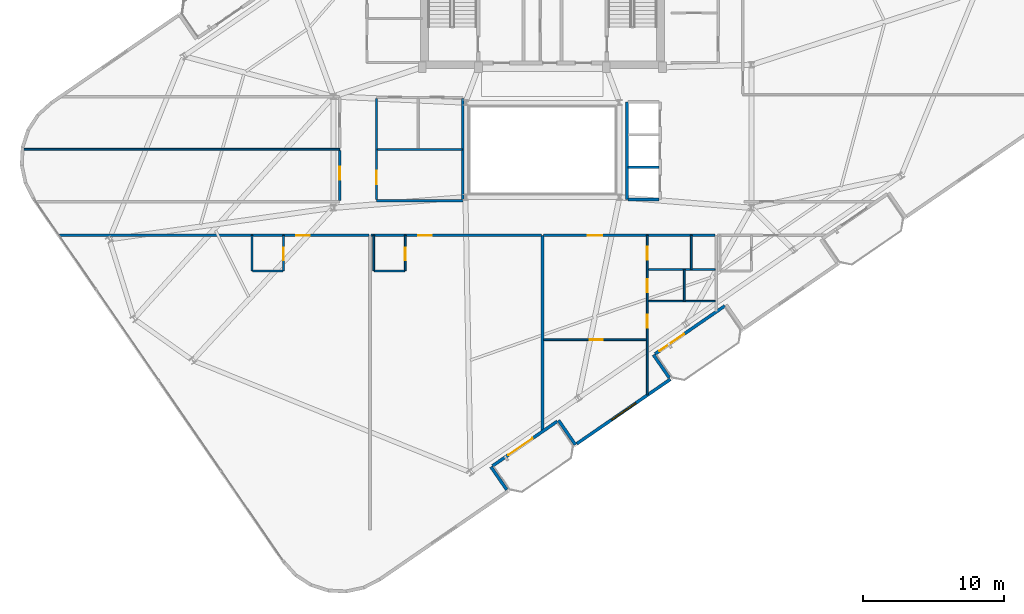
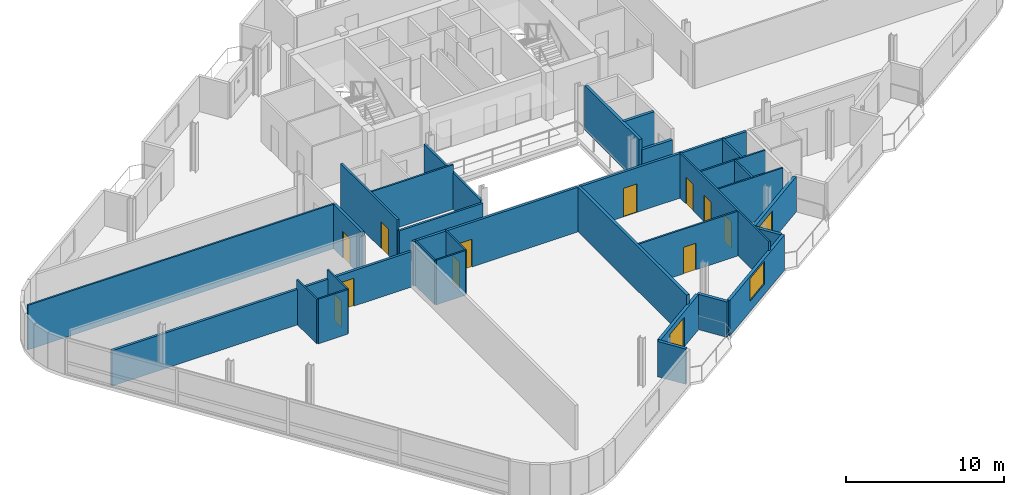
# One storey, part 14 of 21: 31 walls, 13 doors, 1 window, 14 openings.
"""IFC4 building model written with IfcOpenShell, lengths in metres."""

from ifc_helpers import new_model, si_unit, direction, frame, frame_2d, origin, place, context, subcontext, project, spatial, rectangle, extrude, material, layer, layer_set, type_object, element, fill, save


model = new_model("IFC4")

# Units and contexts
model_context = context("Model", 3, precision=1e-05, world=origin(), true_north=direction((0.0, 1.0)))
body_context = subcontext(model_context, "Body", "Model", "MODEL_VIEW")
ifc_project = project(units=[si_unit("LENGTHUNIT", "METRE"), si_unit("AREAUNIT", "SQUARE_METRE"), si_unit("VOLUMEUNIT", "CUBIC_METRE"), si_unit("PLANEANGLEUNIT", "RADIAN"), si_unit("MASSUNIT", "GRAM", prefix="KILO")], contexts=[model_context])

# Site, building, storey
site_placement = place(None, origin())
site = spatial("IfcSite", under=ifc_project, at=site_placement, CompositionType="ELEMENT")
building_placement = place(site_placement, origin())
building = spatial("IfcBuilding", under=site, at=building_placement, Name="Varnelok Gate Tower", CompositionType="ELEMENT")
storey_placement = place(building_placement, frame((0.0, 0.0, 269.300048828125)))
storey = spatial("IfcBuildingStorey", under=building, at=storey_placement, Name="L69", CompositionType="ELEMENT", Elevation=269.300048828125)

# Wall, opening, door
ifc_material_1 = material(Name="Concrete C45/55", Category="concrete")
ifc_layer_1 = layer(ifc_material_1, 0.219970703125)
ifc_layer_set_1 = layer_set([ifc_layer_1], Name="Concrete C45/55")
wall_type_1 = type_object("IfcWallType", Name="EW-BALC-220", PredefinedType="SOLIDWALL", material=ifc_layer_set_1)
wall_1_placement = place(storey_placement, frame((40.243896484375, 3.6884765625, 0.0), z_axis=(0.0, 0.0, 1.0), x_axis=(-0.823541290762, -0.567256328665, 0.0)))
wall_1 = element("IfcWall", 1, at=wall_1_placement, inside=storey, type_object=wall_type_1, Name="L69 South Terrace Envelope Wall 1", PredefinedType="SOLIDWALL", context=body_context, shape_type="SweptSolid", body=[
    extrude(rectangle(XDim=5.567138671875, YDim=0.219970703125, at=frame_2d((2.78369140625, 0.0))), origin(), (0.0, 0.0, 1.0), 2.72998046875),
])
opening_1_placement = place(wall_1_placement, frame((2.10693359375, 0.0, 0.0)))
opening_1 = element("IfcOpeningElement", 2, at=opening_1_placement, cuts=wall_1, Name="Opening BD-2", PredefinedType="OPENING", context=body_context, shape_type="SweptSolid", body=[
    extrude(rectangle(XDim=2.10009765625, YDim=2.300048828125, at=frame_2d((1.050048828125, 1.14990234375))), frame((0.0, 0.119873046875, 0.0), z_axis=(0.0, -1.0, 0.0), x_axis=(1.0, 0.0, 0.0)), (0.0, 0.0, 1.0), 0.239990234375),
])
ifc_material_2 = material(Name="Anodized Aluminum Alloy 6063-T6", Category="aluminium")
door_type_1 = type_object("IfcDoorType", Name="DR-EXT-SLID2100", OperationType="SLIDING_TO_LEFT", PredefinedType="DOOR", material=ifc_material_2)
door_1_placement = place(opening_1_placement, origin())
door_1 = element("IfcDoor", 3, at=door_1_placement, inside=storey, type_object=door_type_1, Name="L69 South Balcony Glazed Door 1", OperationType="SLIDING_TO_LEFT", OverallHeight=2.300048828125, OverallWidth=2.10009765625, PredefinedType="DOOR", context=body_context, shape_type="SweptSolid", body=[
    extrude(rectangle(XDim=2.10009765625, YDim=2.300048828125, at=frame_2d((1.050048828125, 1.14990234375))), frame((0.0, 0.02490234375, 0.0), z_axis=(0.0, -1.0, 0.0), x_axis=(1.0, 0.0, 0.0)), (0.0, 0.0, 1.0), 0.050048828125),
])
fill(opening_1, door_1)

wall_2_placement = place(storey_placement, frame((52.102783203125, 11.85693359375, 0.0), z_axis=(0.0, 0.0, 1.0), x_axis=(-0.823534636215, -0.567265989598, 0.0)))
wall_2 = element("IfcWall", 4, at=wall_2_placement, inside=storey, type_object=wall_type_1, Name="L69 South Terrace Envelope Wall 2", PredefinedType="SOLIDWALL", context=body_context, shape_type="SweptSolid", body=[
    extrude(rectangle(XDim=6.0, YDim=0.219970703125, at=frame_2d((3.0, 0.0))), origin(), (0.0, 0.0, 1.0), 2.72998046875),
])
opening_2_placement = place(wall_2_placement, frame((3.5, 0.0, 0.0)))
opening_2 = element("IfcOpeningElement", 5, at=opening_2_placement, cuts=wall_2, Name="Opening BD-2", PredefinedType="OPENING", context=body_context, shape_type="SweptSolid", body=[
    extrude(rectangle(XDim=2.10009765625, YDim=2.300048828125, at=frame_2d((1.050048828125, 1.14990234375))), frame((0.0, 0.119873046875, 0.0), z_axis=(0.0, -1.0, 0.0), x_axis=(1.0, 0.0, 0.0)), (0.0, 0.0, 1.0), 0.239990234375),
])
door_2_placement = place(opening_2_placement, origin())
door_2 = element("IfcDoor", 6, at=door_2_placement, inside=storey, type_object=door_type_1, Name="L69 South Balcony Glazed Door 2", OperationType="SLIDING_TO_LEFT", OverallHeight=2.300048828125, OverallWidth=2.10009765625, PredefinedType="DOOR", context=body_context, shape_type="SweptSolid", body=[
    extrude(rectangle(XDim=2.10009765625, YDim=2.300048828125, at=frame_2d((1.050048828125, 1.14990234375))), frame((0.0, 0.02490234375, 0.0), z_axis=(0.0, -1.0, 0.0), x_axis=(1.0, 0.0, 0.0)), (0.0, 0.0, 1.0), 0.050048828125),
])
fill(opening_2, door_2)

# Walls
wall_3_placement = place(storey_placement, frame((36.675048828125, -1.156005859375, 0.0), z_axis=(0.0, 0.0, 1.0), x_axis=(-0.567215821234, 0.823569190865, 0.0)))
element("IfcWall", 7, at=wall_3_placement, inside=storey, type_object=wall_type_1, Name="L69 Perimeter Facade Closure Wall 8", PredefinedType="SOLIDWALL", context=body_context, shape_type="SweptSolid", body=[
    extrude(rectangle(XDim=1.97509765625, YDim=0.219970703125, at=frame_2d((0.987548828125, 0.0))), origin(), (0.0, 0.0, 1.0), 2.72998046875),
])
wall_4_placement = place(storey_placement, frame((40.3369140625, 3.7646484375, 0.0), z_axis=(0.0, 0.0, 1.0), x_axis=(0.567352541689, -0.823475010816, 0.0)))
element("IfcWall", 8, at=wall_4_placement, inside=storey, type_object=wall_type_1, Name="L69 Perimeter Facade Closure Wall 9", PredefinedType="SOLIDWALL", context=body_context, shape_type="SweptSolid", body=[
    extrude(rectangle(XDim=2.099853515625, YDim=0.219970703125, at=frame_2d((1.0498046875, 0.0))), origin(), (0.0, 0.0, 1.0), 2.72998046875),
])

# Wall, opening, window
wall_5_placement = place(storey_placement, frame((41.631103515625, 2.106201171875, 0.0), z_axis=(0.0, 0.0, 1.0), x_axis=(0.823530942962, 0.56727135128, 0.0)))
wall_5 = element("IfcWall", 9, at=wall_5_placement, inside=storey, type_object=wall_type_1, Name="L69 Perimeter Facade Closure Wall 10", PredefinedType="SOLIDWALL", context=body_context, shape_type="SweptSolid", body=[
    extrude(rectangle(XDim=8.03515625, YDim=0.219970703125, at=frame_2d((4.017578125, 0.0))), origin(), (0.0, 0.0, 1.0), 2.72998046875),
])
opening_3_placement = place(wall_5_placement, frame((2.967529296875, 0.0, 0.800048828125)))
opening_3 = element("IfcOpeningElement", 10, at=opening_3_placement, cuts=wall_5, Name="Opening WN4", PredefinedType="OPENING", context=body_context, shape_type="SweptSolid", body=[
    extrude(rectangle(XDim=2.10009765625, YDim=1.75, at=frame_2d((1.050048828125, 0.875))), frame((0.0, 0.119873046875, 0.0), z_axis=(0.0, -1.0, 0.0), x_axis=(1.0, 0.0, 0.0)), (0.0, 0.0, 1.0), 0.239990234375),
])
ifc_material_3 = material(Name="Low-E Laminated Double Glazing IGU", Category="glass")
window_type = type_object("IfcWindowType", Name="WN-SUI-2100", PartitioningType="SINGLE_PANEL", PredefinedType="WINDOW", material=ifc_material_3)
window_placement = place(opening_3_placement, origin())
window = element("IfcWindow", 11, at=window_placement, inside=storey, type_object=window_type, Name="L69 Perimeter Vision Window 10", OverallHeight=1.75, OverallWidth=2.10009765625, PartitioningType="SINGLE_PANEL", PredefinedType="WINDOW", context=body_context, shape_type="SweptSolid", body=[
    extrude(rectangle(XDim=2.10009765625, YDim=1.75, at=frame_2d((1.050048828125, 0.875))), frame((0.0, 0.030029296875, 0.0), z_axis=(0.0, -1.0, 0.0), x_axis=(1.0, 0.0, 0.0)), (0.0, 0.0, 1.0), 0.06005859375),
])
fill(opening_3, window)

# Wall
wall_6_placement = place(storey_placement, frame((48.17724609375, 6.76708984375, 0.0), z_axis=(0.0, 0.0, 1.0), x_axis=(-0.567273565974, 0.823529417415, 0.0)))
element("IfcWall", 12, at=wall_6_placement, inside=storey, type_object=wall_type_1, Name="L69 Perimeter Facade Closure Wall 11", PredefinedType="SOLIDWALL", context=body_context, shape_type="SweptSolid", body=[
    extrude(rectangle(XDim=1.97509765625, YDim=0.219970703125, at=frame_2d((0.987548828125, 0.0))), origin(), (0.0, 0.0, 1.0), 2.72998046875),
])

# Wall, opening, door
ifc_material_4 = material(Name="Gypsum Plasterboard Acoustic Partition", Category="gypsum")
ifc_layer_2 = layer(ifc_material_4, 0.179931640625)
ifc_layer_set_2 = layer_set([ifc_layer_2], Name="Gypsum Plasterboard Acoustic Partition")
wall_type_2 = type_object("IfcWallType", Name="PW-CORR-180", PredefinedType="PARTITIONING", material=ifc_layer_set_2)
wall_7_placement = place(storey_placement, frame((5.037841796875, 16.85009765625, 0.0), z_axis=(0.0, 0.0, 1.0), x_axis=(1.0, 0.0, 0.0)))
wall_7 = element("IfcWall", 13, at=wall_7_placement, inside=storey, type_object=wall_type_2, Name="Interior Partition", PredefinedType="PARTITIONING", context=body_context, shape_type="SweptSolid", body=[
    extrude(rectangle(XDim=21.882080078125, YDim=0.179931640625, at=frame_2d((10.94091796875, 0.0))), origin(), (0.0, 0.0, 1.0), 2.739013671875),
])
opening_4_placement = place(wall_7_placement, frame((16.725341796875, 0.0, 0.0)))
opening_4 = element("IfcOpeningElement", 14, at=opening_4_placement, cuts=wall_7, Name="Opening D-HT", PredefinedType="OPENING", context=body_context, shape_type="SweptSolid", body=[
    extrude(rectangle(XDim=0.949951171875, YDim=2.14990234375, at=frame_2d((0.47509765625, 1.074951171875))), frame((0.0, 0.099853515625, 0.0), z_axis=(0.0, -1.0, 0.0), x_axis=(1.0, 0.0, 0.0)), (0.0, 0.0, 1.0), 0.199951171875),
])
ifc_material_5 = material(Name="Engineered Hardwood Timber", Category="wood")
door_type_2 = type_object("IfcDoorType", Name="DR-HTL-950", OperationType="NOTDEFINED", PredefinedType="DOOR", material=ifc_material_5)
door_3_placement = place(opening_4_placement, origin())
door_3 = element("IfcDoor", 15, at=door_3_placement, inside=storey, type_object=door_type_2, Name="L69 Guest Room 01 Entrance Door", OperationType="SINGLE_SWING_RIGHT", OverallHeight=2.14990234375, OverallWidth=0.949951171875, PredefinedType="DOOR", context=body_context, shape_type="SweptSolid", body=[
    extrude(rectangle(XDim=0.949951171875, YDim=2.14990234375, at=frame_2d((0.47509765625, 1.074951171875))), frame((0.0, 0.02490234375, 0.0), z_axis=(0.0, -1.0, 0.0), x_axis=(1.0, 0.0, 0.0)), (0.0, 0.0, 1.0), 0.050048828125),
])
fill(opening_4, door_3)

wall_8_placement = place(storey_placement, frame((27.080078125, 16.85009765625, 0.0), z_axis=(0.0, 0.0, 1.0), x_axis=(1.0, 0.0, 0.0)))
wall_8 = element("IfcWall", 16, at=wall_8_placement, inside=storey, type_object=wall_type_2, Name="Interior Partition", PredefinedType="PARTITIONING", context=body_context, shape_type="SweptSolid", body=[
    extrude(rectangle(XDim=12.0400390625, YDim=0.179931640625, at=frame_2d((6.02001953125, 0.0))), origin(), (0.0, 0.0, 1.0), 3.449951171875),
])
opening_5_placement = place(wall_8_placement, frame((3.328369140625, 0.0, 0.0)))
opening_5 = element("IfcOpeningElement", 17, at=opening_5_placement, cuts=wall_8, Name="Opening D-HT", PredefinedType="OPENING", context=body_context, shape_type="SweptSolid", body=[
    extrude(rectangle(XDim=0.949951171875, YDim=2.14990234375, at=frame_2d((0.47509765625, 1.074951171875))), frame((0.0, 0.099853515625, 0.0), z_axis=(0.0, -1.0, 0.0), x_axis=(1.0, 0.0, 0.0)), (0.0, 0.0, 1.0), 0.199951171875),
])
door_4_placement = place(opening_5_placement, origin())
door_4 = element("IfcDoor", 18, at=door_4_placement, inside=storey, type_object=door_type_2, Name="L69 Guest Room 02 Entrance Door", OperationType="SINGLE_SWING_LEFT", OverallHeight=2.14990234375, OverallWidth=0.949951171875, PredefinedType="DOOR", context=body_context, shape_type="SweptSolid", body=[
    extrude(rectangle(XDim=0.949951171875, YDim=2.14990234375, at=frame_2d((0.47509765625, 1.074951171875))), frame((0.0, 0.02490234375, 0.0), z_axis=(0.0, -1.0, 0.0), x_axis=(1.0, 0.0, 0.0)), (0.0, 0.0, 1.0), 0.050048828125),
])
fill(opening_5, door_4)

wall_9_placement = place(storey_placement, frame((39.280029296875, 16.85009765625, 0.0), z_axis=(0.0, 0.0, 1.0), x_axis=(1.0, 0.0, 0.0)))
wall_9 = element("IfcWall", 19, at=wall_9_placement, inside=storey, type_object=wall_type_2, Name="Interior Partition", PredefinedType="PARTITIONING", context=body_context, shape_type="SweptSolid", body=[
    extrude(rectangle(XDim=12.139892578125, YDim=0.179931640625, at=frame_2d((6.06982421875, 0.0))), origin(), (0.0, 0.0, 1.0), 3.449951171875),
])
opening_6_placement = place(wall_9_placement, frame((3.135009765625, 0.0, 0.0)))
opening_6 = element("IfcOpeningElement", 20, at=opening_6_placement, cuts=wall_9, Name="Opening D-AP", PredefinedType="OPENING", context=body_context, shape_type="SweptSolid", body=[
    extrude(rectangle(XDim=1.0, YDim=2.199951171875, at=frame_2d((0.5, 1.10009765625))), frame((0.0, 0.099853515625, 0.0), z_axis=(0.0, -1.0, 0.0), x_axis=(1.0, 0.0, 0.0)), (0.0, 0.0, 1.0), 0.199951171875),
])
door_type_3 = type_object("IfcDoorType", Name="DR-APT-1000", OperationType="NOTDEFINED", PredefinedType="DOOR", material=ifc_material_5)
door_5_placement = place(opening_6_placement, origin())
door_5 = element("IfcDoor", 21, at=door_5_placement, inside=storey, type_object=door_type_3, Name="L69 Apartment 3 Entrance Door", OperationType="SINGLE_SWING_RIGHT", OverallHeight=2.199951171875, OverallWidth=1.0, PredefinedType="DOOR", context=body_context, shape_type="SweptSolid", body=[
    extrude(rectangle(XDim=1.0, YDim=2.199951171875, at=frame_2d((0.5, 1.10009765625))), frame((0.0, 0.02490234375, 0.0), z_axis=(0.0, -1.0, 0.0), x_axis=(1.0, 0.0, 0.0)), (0.0, 0.0, 1.0), 0.050048828125),
])
fill(opening_6, door_5)

wall_10_placement = place(storey_placement, frame((24.85009765625, 19.300048828125, 0.0), z_axis=(0.0, 0.0, 1.0), x_axis=(0.0, 1.0, 0.0)))
wall_10 = element("IfcWall", 22, at=wall_10_placement, inside=storey, type_object=wall_type_2, Name="Interior Partition", PredefinedType="PARTITIONING", context=body_context, shape_type="SweptSolid", body=[
    extrude(rectangle(XDim=3.570068359375, YDim=0.179931640625, at=frame_2d((1.78515625, 0.0))), origin(), (0.0, 0.0, 1.0), 3.449951171875),
])
opening_7_placement = place(wall_10_placement, frame((1.49951171875, 0.0, 0.0)))
opening_7 = element("IfcOpeningElement", 23, at=opening_7_placement, cuts=wall_10, Name="Opening D-I3", PredefinedType="OPENING", context=body_context, shape_type="SweptSolid", body=[
    extrude(rectangle(XDim=0.919921875, YDim=2.050048828125, at=frame_2d((0.4599609375, 1.02490234375))), frame((0.0, 0.099853515625, 0.0), z_axis=(0.0, -1.0, 0.0), x_axis=(1.0, 0.0, 0.0)), (0.0, 0.0, 1.0), 0.199951171875),
])
door_type_4 = type_object("IfcDoorType", Name="DR-INT-920", OperationType="NOTDEFINED", PredefinedType="DOOR", material=ifc_material_5)
door_6_placement = place(opening_7_placement, origin())
door_6 = element("IfcDoor", 24, at=door_6_placement, inside=storey, type_object=door_type_4, Name="L69 West Wing Room 1 Door", OperationType="SINGLE_SWING_LEFT", OverallHeight=2.050048828125, OverallWidth=0.919921875, PredefinedType="DOOR", context=body_context, shape_type="SweptSolid", body=[
    extrude(rectangle(XDim=0.919921875, YDim=2.050048828125, at=frame_2d((0.4599609375, 1.02490234375))), frame((0.0, 0.02490234375, 0.0), z_axis=(0.0, -1.0, 0.0), x_axis=(1.0, 0.0, 0.0)), (0.0, 0.0, 1.0), 0.050048828125),
])
fill(opening_7, door_6)

# Wall
ifc_layer_3 = layer(ifc_material_4, 0.114990234375)
ifc_layer_set_3 = layer_set([ifc_layer_3], Name="Gypsum Plasterboard Acoustic Partition")
wall_type_3 = type_object("IfcWallType", Name="PW-ENS-125", PredefinedType="PARTITIONING", material=ifc_layer_set_3)
wall_11_placement = place(storey_placement, frame((18.679931640625, 14.330078125, 0.0), z_axis=(0.0, 0.0, 1.0), x_axis=(1.0, 0.0, 0.0)))
element("IfcWall", 25, at=wall_11_placement, inside=storey, type_object=wall_type_3, Name="Interior Partition", PredefinedType="PARTITIONING", context=body_context, shape_type="SweptSolid", body=[
    extrude(rectangle(XDim=2.150146484375, YDim=0.114990234375, at=frame_2d((1.0751953125, 0.0))), origin(), (0.0, 0.0, 1.0), 3.449951171875),
])

# Wall, opening, door
wall_12_placement = place(storey_placement, frame((20.8701171875, 14.330078125, 0.0), z_axis=(0.0, 0.0, 1.0), x_axis=(0.0, 1.0, 0.0)))
wall_12 = element("IfcWall", 26, at=wall_12_placement, inside=storey, type_object=wall_type_3, Name="Interior Partition", PredefinedType="PARTITIONING", context=body_context, shape_type="SweptSolid", body=[
    extrude(rectangle(XDim=2.52001953125, YDim=0.114990234375, at=frame_2d((1.260009765625, 0.0))), origin(), (0.0, 0.0, 1.0), 3.449951171875),
])
opening_8_placement = place(wall_12_placement, frame((0.760009765625, 0.0, 0.0)))
opening_8 = element("IfcOpeningElement", 27, at=opening_8_placement, cuts=wall_12, Name="Opening D-WC", PredefinedType="OPENING", context=body_context, shape_type="SweptSolid", body=[
    extrude(rectangle(XDim=0.89990234375, YDim=2.050048828125, at=frame_2d((0.449951171875, 1.02490234375))), frame((0.0, 0.0673828125, 0.0), z_axis=(0.0, -1.0, 0.0), x_axis=(1.0, 0.0, 0.0)), (0.0, 0.0, 1.0), 0.135009765625),
])
door_type_5 = type_object("IfcDoorType", Name="DR-BATH-900", OperationType="NOTDEFINED", PredefinedType="DOOR", material=ifc_material_5)
door_7_placement = place(opening_8_placement, origin())
door_7 = element("IfcDoor", 28, at=door_7_placement, inside=storey, type_object=door_type_5, Name="L69 Guest En-Suite 01 Door", OperationType="SINGLE_SWING_LEFT", OverallHeight=2.050048828125, OverallWidth=0.89990234375, PredefinedType="DOOR", context=body_context, shape_type="SweptSolid", body=[
    extrude(rectangle(XDim=0.89990234375, YDim=2.050048828125, at=frame_2d((0.449951171875, 1.02490234375))), frame((0.0, 0.02490234375, 0.0), z_axis=(0.0, -1.0, 0.0), x_axis=(1.0, 0.0, 0.0)), (0.0, 0.0, 1.0), 0.050048828125),
])
fill(opening_8, door_7)

# Walls
wall_13_placement = place(storey_placement, frame((18.639892578125, 14.330078125, 0.0), z_axis=(0.0, 0.0, 1.0), x_axis=(0.0, 1.0, 0.0)))
element("IfcWall", 29, at=wall_13_placement, inside=storey, type_object=wall_type_3, Name="Interior Partition", PredefinedType="PARTITIONING", context=body_context, shape_type="SweptSolid", body=[
    extrude(rectangle(XDim=2.52001953125, YDim=0.114990234375, at=frame_2d((1.260009765625, 0.0))), origin(), (0.0, 0.0, 1.0), 3.449951171875),
])
wall_14_placement = place(storey_placement, frame((27.300048828125, 14.330078125, 0.0), z_axis=(0.0, 0.0, 1.0), x_axis=(1.0, 0.0, 0.0)))
element("IfcWall", 30, at=wall_14_placement, inside=storey, type_object=wall_type_3, Name="Interior Partition", PredefinedType="PARTITIONING", context=body_context, shape_type="SweptSolid", body=[
    extrude(rectangle(XDim=2.14990234375, YDim=0.114990234375, at=frame_2d((1.074951171875, 0.0))), origin(), (0.0, 0.0, 1.0), 3.449951171875),
])

# Wall, opening, door
wall_15_placement = place(storey_placement, frame((29.489990234375, 14.330078125, 0.0), z_axis=(0.0, 0.0, 1.0), x_axis=(0.0, 1.0, 0.0)))
wall_15 = element("IfcWall", 31, at=wall_15_placement, inside=storey, type_object=wall_type_3, Name="Interior Partition", PredefinedType="PARTITIONING", context=body_context, shape_type="SweptSolid", body=[
    extrude(rectangle(XDim=2.52001953125, YDim=0.114990234375, at=frame_2d((1.260009765625, 0.0))), origin(), (0.0, 0.0, 1.0), 3.449951171875),
])
opening_9_placement = place(wall_15_placement, frame((0.760009765625, 0.0, 0.0)))
opening_9 = element("IfcOpeningElement", 32, at=opening_9_placement, cuts=wall_15, Name="Opening D-WC", PredefinedType="OPENING", context=body_context, shape_type="SweptSolid", body=[
    extrude(rectangle(XDim=0.89990234375, YDim=2.050048828125, at=frame_2d((0.449951171875, 1.02490234375))), frame((0.0, 0.0673828125, 0.0), z_axis=(0.0, -1.0, 0.0), x_axis=(1.0, 0.0, 0.0)), (0.0, 0.0, 1.0), 0.135009765625),
])
door_8_placement = place(opening_9_placement, origin())
door_8 = element("IfcDoor", 33, at=door_8_placement, inside=storey, type_object=door_type_5, Name="L69 Guest En-Suite 02 Door", OperationType="SINGLE_SWING_LEFT", OverallHeight=2.050048828125, OverallWidth=0.89990234375, PredefinedType="DOOR", context=body_context, shape_type="SweptSolid", body=[
    extrude(rectangle(XDim=0.89990234375, YDim=2.050048828125, at=frame_2d((0.449951171875, 1.02490234375))), frame((0.0, 0.02490234375, 0.0), z_axis=(0.0, -1.0, 0.0), x_axis=(1.0, 0.0, 0.0)), (0.0, 0.0, 1.0), 0.050048828125),
])
fill(opening_9, door_8)

# Walls
wall_16_placement = place(storey_placement, frame((27.260009765625, 14.330078125, 0.0), z_axis=(0.0, 0.0, 1.0), x_axis=(0.0, 1.0, 0.0)))
element("IfcWall", 34, at=wall_16_placement, inside=storey, type_object=wall_type_3, Name="Interior Partition", PredefinedType="PARTITIONING", context=body_context, shape_type="SweptSolid", body=[
    extrude(rectangle(XDim=2.52001953125, YDim=0.114990234375, at=frame_2d((1.260009765625, 0.0))), origin(), (0.0, 0.0, 1.0), 3.449951171875),
])
wall_17_placement = place(storey_placement, frame((46.68994140625, 12.199951171875, 0.0), z_axis=(0.0, 0.0, 1.0), x_axis=(1.0, 0.0, 0.0)))
element("IfcWall", 35, at=wall_17_placement, inside=storey, type_object=wall_type_3, Name="Interior Partition", PredefinedType="PARTITIONING", context=body_context, shape_type="SweptSolid", body=[
    extrude(rectangle(XDim=4.72998046875, YDim=0.114990234375, at=frame_2d((2.364990234375, 0.0))), origin(), (0.0, 0.0, 1.0), 3.449951171875),
])
wall_18_placement = place(storey_placement, frame((49.22998046875, 12.199951171875, 0.0), z_axis=(0.0, 0.0, 1.0), x_axis=(0.0, 1.0, 0.0)))
element("IfcWall", 36, at=wall_18_placement, inside=storey, type_object=wall_type_3, Name="Interior Partition", PredefinedType="PARTITIONING", context=body_context, shape_type="SweptSolid", body=[
    extrude(rectangle(XDim=2.239990234375, YDim=0.114990234375, at=frame_2d((1.1201171875, 0.0))), origin(), (0.0, 0.0, 1.0), 3.449951171875),
])

# Wall, opening, door
ifc_layer_4 = layer(ifc_material_4, 0.125)
ifc_layer_set_4 = layer_set([ifc_layer_4], Name="Gypsum Plasterboard Acoustic Partition")
wall_type_4 = type_object("IfcWallType", Name="PW-PART-125", PredefinedType="PARTITIONING", material=ifc_layer_set_4)
wall_19_placement = place(storey_placement, frame((39.280029296875, 9.470458984375, 0.0), z_axis=(0.0, 0.0, 1.0), x_axis=(1.0, 0.0, 0.0)))
wall_19 = element("IfcWall", 37, at=wall_19_placement, inside=storey, type_object=wall_type_4, Name="Interior Partition", PredefinedType="PARTITIONING", context=body_context, shape_type="SweptSolid", body=[
    extrude(rectangle(XDim=7.27001953125, YDim=0.125, at=frame_2d((3.635009765625, 0.0))), origin(), (0.0, 0.0, 1.0), 3.449951171875),
])
opening_10_placement = place(wall_19_placement, frame((3.271484375, 0.0, 0.0)))
opening_10 = element("IfcOpeningElement", 38, at=opening_10_placement, cuts=wall_19, Name="Opening D-I3", PredefinedType="OPENING", context=body_context, shape_type="SweptSolid", body=[
    extrude(rectangle(XDim=0.919921875, YDim=2.050048828125, at=frame_2d((0.4599609375, 1.02490234375))), frame((0.0, 0.072509765625, 0.0), z_axis=(0.0, -1.0, 0.0), x_axis=(1.0, 0.0, 0.0)), (0.0, 0.0, 1.0), 0.14501953125),
])
door_9_placement = place(opening_10_placement, origin())
door_9 = element("IfcDoor", 39, at=door_9_placement, inside=storey, type_object=door_type_4, Name="L69 Apartment 3 Study Door", OperationType="SINGLE_SWING_LEFT", OverallHeight=2.050048828125, OverallWidth=0.919921875, PredefinedType="DOOR", context=body_context, shape_type="SweptSolid", body=[
    extrude(rectangle(XDim=0.919921875, YDim=2.050048828125, at=frame_2d((0.4599609375, 1.02490234375))), frame((0.0, 0.02490234375, 0.0), z_axis=(0.0, -1.0, 0.0), x_axis=(1.0, 0.0, 0.0)), (0.0, 0.0, 1.0), 0.050048828125),
])
fill(opening_10, door_9)

# Wall, openings, doors
wall_20_placement = place(storey_placement, frame((46.6201171875, 5.56689453125, 0.0), z_axis=(0.0, 0.0, 1.0), x_axis=(0.0, 1.0, 0.0)))
wall_20 = element("IfcWall", 40, at=wall_20_placement, inside=storey, type_object=wall_type_4, Name="Interior Partition", PredefinedType="PARTITIONING", context=body_context, shape_type="SweptSolid", body=[
    extrude(rectangle(XDim=11.283203125, YDim=0.125, at=frame_2d((5.6416015625, 0.0))), origin(), (0.0, 0.0, 1.0), 3.449951171875),
])
opening_11_placement = place(wall_20_placement, frame((4.7568359375, 0.0, 0.0)))
opening_11 = element("IfcOpeningElement", 41, at=opening_11_placement, cuts=wall_20, Name="Opening D-I3", PredefinedType="OPENING", context=body_context, shape_type="SweptSolid", body=[
    extrude(rectangle(XDim=0.919921875, YDim=2.050048828125, at=frame_2d((0.4599609375, 1.02490234375))), frame((0.0, 0.072509765625, 0.0), z_axis=(0.0, -1.0, 0.0), x_axis=(1.0, 0.0, 0.0)), (0.0, 0.0, 1.0), 0.14501953125),
])
opening_12_placement = place(wall_20_placement, frame((7.260498046875, 0.0, 0.0)))
opening_12 = element("IfcOpeningElement", 42, at=opening_12_placement, cuts=wall_20, Name="Opening D-WC", PredefinedType="OPENING", context=body_context, shape_type="SweptSolid", body=[
    extrude(rectangle(XDim=0.89990234375, YDim=2.050048828125, at=frame_2d((0.449951171875, 1.02490234375))), frame((0.0, 0.072509765625, 0.0), z_axis=(0.0, -1.0, 0.0), x_axis=(1.0, 0.0, 0.0)), (0.0, 0.0, 1.0), 0.14501953125),
])
opening_13_placement = place(wall_20_placement, frame((9.552978515625, 0.0, 0.0)))
opening_13 = element("IfcOpeningElement", 43, at=opening_13_placement, cuts=wall_20, Name="Opening D-I3", PredefinedType="OPENING", context=body_context, shape_type="SweptSolid", body=[
    extrude(rectangle(XDim=0.919921875, YDim=2.050048828125, at=frame_2d((0.4599609375, 1.02490234375))), frame((0.0, 0.072509765625, 0.0), z_axis=(0.0, -1.0, 0.0), x_axis=(1.0, 0.0, 0.0)), (0.0, 0.0, 1.0), 0.14501953125),
])
door_10_placement = place(opening_12_placement, origin())
door_10 = element("IfcDoor", 44, at=door_10_placement, inside=storey, type_object=door_type_5, Name="L69 Apartment 3 Bathroom Door", OperationType="SINGLE_SWING_LEFT", OverallHeight=2.050048828125, OverallWidth=0.89990234375, PredefinedType="DOOR", context=body_context, shape_type="SweptSolid", body=[
    extrude(rectangle(XDim=0.89990234375, YDim=2.050048828125, at=frame_2d((0.449951171875, 1.02490234375))), frame((0.0, 0.02490234375, 0.0), z_axis=(0.0, -1.0, 0.0), x_axis=(1.0, 0.0, 0.0)), (0.0, 0.0, 1.0), 0.050048828125),
])
fill(opening_12, door_10)
door_11_placement = place(opening_11_placement, origin())
door_11 = element("IfcDoor", 45, at=door_11_placement, inside=storey, type_object=door_type_4, Name="L69 Apartment 3 Bedroom Door", OperationType="SINGLE_SWING_RIGHT", OverallHeight=2.050048828125, OverallWidth=0.919921875, PredefinedType="DOOR", context=body_context, shape_type="SweptSolid", body=[
    extrude(rectangle(XDim=0.919921875, YDim=2.050048828125, at=frame_2d((0.4599609375, 1.02490234375))), frame((0.0, 0.02490234375, 0.0), z_axis=(0.0, -1.0, 0.0), x_axis=(1.0, 0.0, 0.0)), (0.0, 0.0, 1.0), 0.050048828125),
])
fill(opening_11, door_11)
door_12_placement = place(opening_13_placement, origin())
door_12 = element("IfcDoor", 46, at=door_12_placement, inside=storey, type_object=door_type_4, Name="L69 Apartment 3 Kitchen Door", OperationType="SINGLE_SWING_RIGHT", OverallHeight=2.050048828125, OverallWidth=0.919921875, PredefinedType="DOOR", context=body_context, shape_type="SweptSolid", body=[
    extrude(rectangle(XDim=0.919921875, YDim=2.050048828125, at=frame_2d((0.4599609375, 1.02490234375))), frame((0.0, 0.02490234375, 0.0), z_axis=(0.0, -1.0, 0.0), x_axis=(1.0, 0.0, 0.0)), (0.0, 0.0, 1.0), 0.050048828125),
])
fill(opening_13, door_12)

# Walls
wall_21_placement = place(storey_placement, frame((46.68994140625, 14.43994140625, 0.0), z_axis=(0.0, 0.0, 1.0), x_axis=(1.0, 0.0, 0.0)))
element("IfcWall", 47, at=wall_21_placement, inside=storey, type_object=wall_type_4, Name="Interior Partition", PredefinedType="PARTITIONING", context=body_context, shape_type="SweptSolid", body=[
    extrude(rectangle(XDim=4.72998046875, YDim=0.125, at=frame_2d((2.364990234375, 0.0))), origin(), (0.0, 0.0, 1.0), 3.449951171875),
])
wall_22_placement = place(storey_placement, frame((49.72998046875, 14.43994140625, 0.0), z_axis=(0.0, 0.0, 1.0), x_axis=(0.0, 1.0, 0.0)))
element("IfcWall", 48, at=wall_22_placement, inside=storey, type_object=wall_type_4, Name="Interior Partition", PredefinedType="PARTITIONING", context=body_context, shape_type="SweptSolid", body=[
    extrude(rectangle(XDim=2.41015625, YDim=0.125, at=frame_2d((1.205078125, 0.0))), origin(), (0.0, 0.0, 1.0), 3.449951171875),
])
wall_23_placement = place(storey_placement, frame((2.424072265625, 22.949951171875, 0.0), z_axis=(0.0, 0.0, 1.0), x_axis=(1.0, 0.0, 0.0)))
element("IfcWall", 49, at=wall_23_placement, inside=storey, type_object=wall_type_4, Name="Interior Partition", PredefinedType="PARTITIONING", context=body_context, shape_type="SweptSolid", body=[
    extrude(rectangle(XDim=22.426025390625, YDim=0.125, at=frame_2d((11.212890625, 0.0))), origin(), (0.0, 0.0, 1.0), 3.449951171875),
])
wall_24_placement = place(storey_placement, frame((27.52001953125, 22.929931640625, 0.0), z_axis=(0.0, 0.0, 1.0), x_axis=(1.0, 0.0, 0.0)))
element("IfcWall", 50, at=wall_24_placement, inside=storey, type_object=wall_type_4, Name="Interior Partition", PredefinedType="PARTITIONING", context=body_context, shape_type="SweptSolid", body=[
    extrude(rectangle(XDim=6.0, YDim=0.125, at=frame_2d((3.0, 0.0))), origin(), (0.0, 0.0, 1.0), 3.449951171875),
])
ifc_layer_5 = layer(ifc_material_4, 0.14990234375)
ifc_layer_set_5 = layer_set([ifc_layer_5], Name="Gypsum Plasterboard Acoustic Partition")
wall_type_5 = type_object("IfcWallType", Name="PW-PART-150", PredefinedType="PARTITIONING", material=ifc_layer_set_5)
wall_25_placement = place(storey_placement, frame((27.4599609375, 19.300048828125, 0.0), z_axis=(0.0, 0.0, 1.0), x_axis=(1.0, 0.0, 0.0)))
element("IfcWall", 51, at=wall_25_placement, inside=storey, type_object=wall_type_5, Name="Interior Partition", PredefinedType="PARTITIONING", context=body_context, shape_type="SweptSolid", body=[
    extrude(rectangle(XDim=6.10009765625, YDim=0.14990234375, at=frame_2d((3.050048828125, 0.0))), origin(), (0.0, 0.0, 1.0), 2.661865234375),
])

# Wall, opening, door
wall_26_placement = place(storey_placement, frame((27.4599609375, 19.3798828125, 0.0), z_axis=(0.0, 0.0, 1.0), x_axis=(0.0, 1.0, 0.0)))
wall_26 = element("IfcWall", 52, at=wall_26_placement, inside=storey, type_object=wall_type_5, Name="Interior Partition", PredefinedType="PARTITIONING", context=body_context, shape_type="SweptSolid", body=[
    extrude(rectangle(XDim=7.16015625, YDim=0.14990234375, at=frame_2d((3.580078125, 0.0))), origin(), (0.0, 0.0, 1.0), 3.449951171875),
])
opening_14_placement = place(wall_26_placement, frame((1.10009765625, 0.0, 0.0)))
opening_14 = element("IfcOpeningElement", 53, at=opening_14_placement, cuts=wall_26, Name="Opening D-I2", PredefinedType="OPENING", context=body_context, shape_type="SweptSolid", body=[
    extrude(rectangle(XDim=0.949951171875, YDim=2.050048828125, at=frame_2d((0.47509765625, 1.02490234375))), frame((0.0, 0.0849609375, 0.0), z_axis=(0.0, -1.0, 0.0), x_axis=(1.0, 0.0, 0.0)), (0.0, 0.0, 1.0), 0.169921875),
])
door_type_6 = type_object("IfcDoorType", Name="DR-INT-950", OperationType="NOTDEFINED", PredefinedType="DOOR", material=ifc_material_5)
door_13_placement = place(opening_14_placement, origin())
door_13 = element("IfcDoor", 54, at=door_13_placement, inside=storey, type_object=door_type_6, Name="L69 Constructivist Architecture Exhibition Gallery Door", OperationType="SINGLE_SWING_LEFT", OverallHeight=2.050048828125, OverallWidth=0.949951171875, PredefinedType="DOOR", context=body_context, shape_type="SweptSolid", body=[
    extrude(rectangle(XDim=0.949951171875, YDim=2.050048828125, at=frame_2d((0.47509765625, 1.02490234375))), frame((0.0, 0.02490234375, 0.0), z_axis=(0.0, -1.0, 0.0), x_axis=(1.0, 0.0, 0.0)), (0.0, 0.0, 1.0), 0.050048828125),
])
fill(opening_14, door_13)

# Walls
wall_27_placement = place(storey_placement, frame((33.56005859375, 19.3798828125, 0.0), z_axis=(0.0, 0.0, 1.0), x_axis=(0.0, 1.0, 0.0)))
element("IfcWall", 55, at=wall_27_placement, inside=storey, type_object=wall_type_5, Name="Interior Partition", PredefinedType="PARTITIONING", context=body_context, shape_type="SweptSolid", body=[
    extrude(rectangle(XDim=7.16015625, YDim=0.14990234375, at=frame_2d((3.580078125, 0.0))), origin(), (0.0, 0.0, 1.0), 2.823974609375),
])
ifc_layer_6 = layer(ifc_material_4, 0.205078125)
ifc_layer_set_6 = layer_set([ifc_layer_6], Name="Gypsum Plasterboard Acoustic Partition")
wall_type_6 = type_object("IfcWallType", Name="PW-PARTY-200", PredefinedType="PARTITIONING", material=ifc_layer_set_6)
wall_28_placement = place(storey_placement, frame((39.199951171875, 3.005859375, 0.0), z_axis=(0.0, 0.0, 1.0), x_axis=(0.0, 1.0, 0.0)))
element("IfcWall", 56, at=wall_28_placement, inside=storey, type_object=wall_type_6, Name="L69 South Party Wall 2", PredefinedType="PARTITIONING", context=body_context, shape_type="SweptSolid", body=[
    extrude(rectangle(XDim=13.84423828125, YDim=0.205078125, at=frame_2d((6.922119140625, 0.0))), origin(), (0.0, 0.0, 1.0), 3.449951171875),
])
ifc_material_6 = material(Name="Concrete C35/45", Category="concrete")
ifc_layer_7 = layer(ifc_material_6, 0.199951171875)
ifc_layer_set_7 = layer_set([ifc_layer_7], Name="Concrete C35/45")
wall_type_7 = type_object("IfcWallType", Name="PW-SHAFT-200", PredefinedType="PARTITIONING", material=ifc_layer_set_7)
wall_29_placement = place(storey_placement, frame((45.239990234375, 21.675048828125, 0.0), z_axis=(0.0, 0.0, 1.0), x_axis=(1.0, 0.0, 0.0)))
element("IfcWall", 57, at=wall_29_placement, inside=storey, type_object=wall_type_7, Name="L69 PH1 Divider", PredefinedType="PARTITIONING", context=body_context, shape_type="SweptSolid", body=[
    extrude(rectangle(XDim=2.219970703125, YDim=0.199951171875, at=frame_2d((1.10986328125, 0.0))), origin(), (0.0, 0.0, 1.0), 3.449951171875),
])
wall_30_placement = place(storey_placement, frame((45.239990234375, 19.3798828125, 0.0), z_axis=(0.0, 0.0, 1.0), x_axis=(1.0, 0.0, 0.0)))
element("IfcWall", 58, at=wall_30_placement, inside=storey, type_object=wall_type_7, Name="L69 PH Bank South Wall", PredefinedType="PARTITIONING", context=body_context, shape_type="SweptSolid", body=[
    extrude(rectangle(XDim=2.219970703125, YDim=0.199951171875, at=frame_2d((1.10986328125, 0.0))), origin(), (0.0, 0.0, 1.0), 2.661865234375),
])
wall_31_placement = place(storey_placement, frame((45.179931640625, 19.3798828125, 0.0), z_axis=(0.0, 0.0, 1.0), x_axis=(0.0, 1.0, 0.0)))
element("IfcWall", 59, at=wall_31_placement, inside=storey, type_object=wall_type_7, Name="L69 PH Bank Atrium Wall", PredefinedType="PARTITIONING", context=body_context, shape_type="SweptSolid", body=[
    extrude(rectangle(XDim=6.900146484375, YDim=0.199951171875, at=frame_2d((3.4501953125, 0.0))), origin(), (0.0, 0.0, 1.0), 3.449951171875),
])

save(model, "model.ifc")
